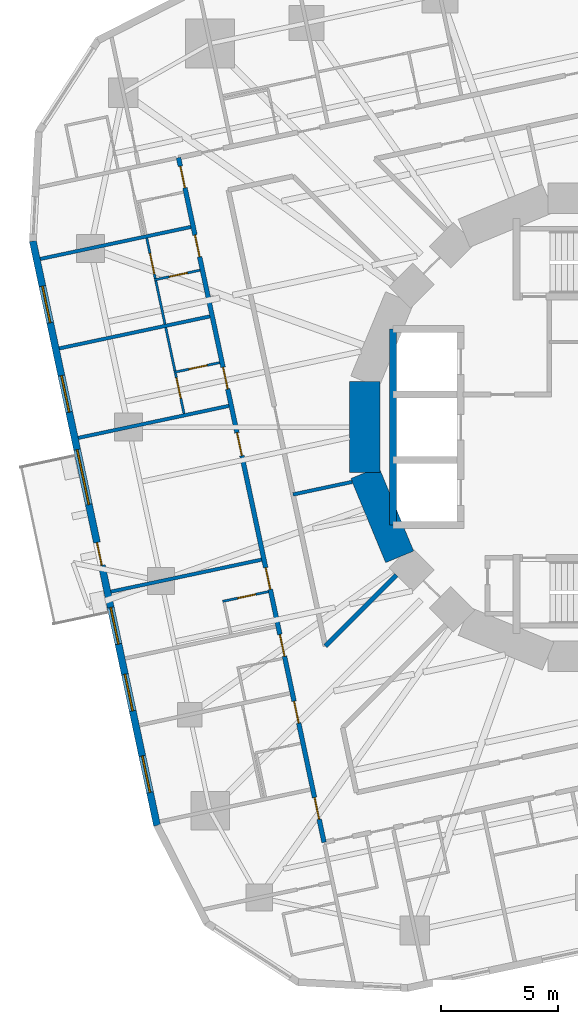
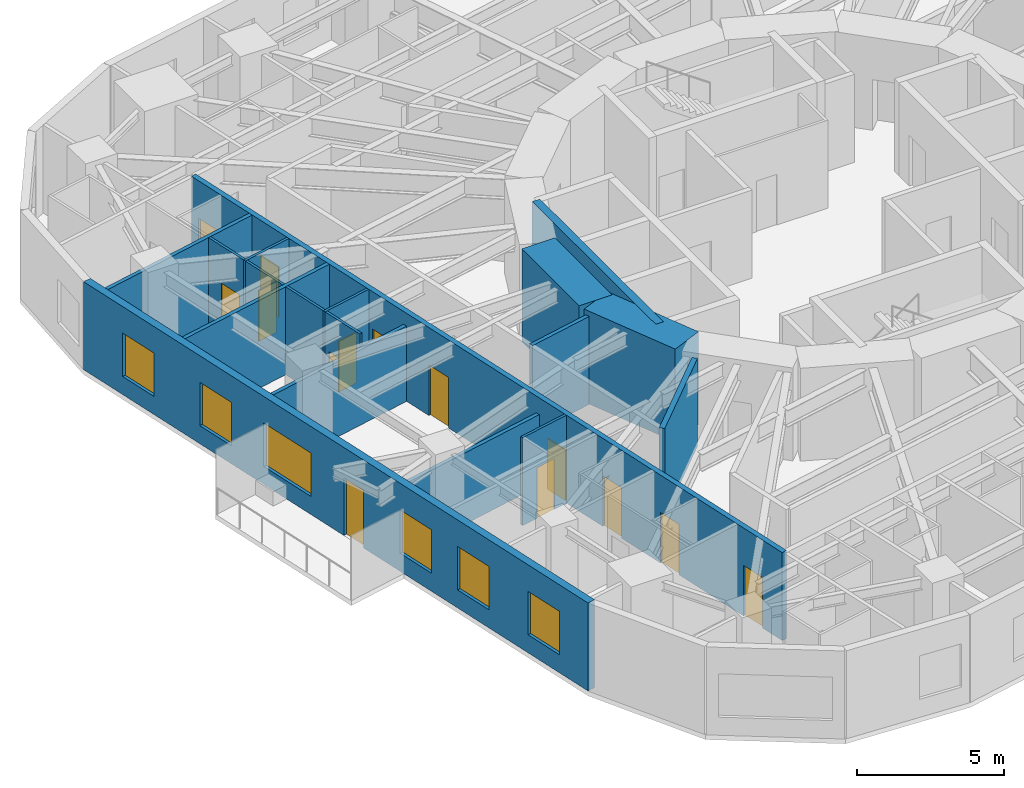
# One storey, part 6 of 14: 18 walls, 14 doors, 6 windows, 20 openings.
"""IFC4 building model written with IfcOpenShell, lengths in metres."""

import ifcopenshell
import ifcopenshell.guid

model = None  # the IFC model being written
_history = None  # IfcOwnerHistory: only IFC2X3 demands one
_inside = {}  # id of a spatial element -> (the spatial element, [elements in it])
_under = {}  # id of a project, library or spatial element -> (it, [spatial elements below it])
_declared = {}  # id of a project -> (the project, [libraries it declares])
_typed = {}  # id of a type object -> (the type object, [elements of that type])
_made_of = {}  # id of a material, layer set ... -> (it, [elements and type objects made of it])


def new_model(schema):
    """Start an empty IFC model of exactly this schema.

    Asked for "IFC4X3", IfcOpenShell would pick the latest addendum, in which some entities
    have other attributes; the version numbers below select the first issue.
    IFC2X3 requires an IfcOwnerHistory on every rooted entity: one is made here for all.
    """
    global model, _history
    if schema == "IFC4X3":
        model = ifcopenshell.file(schema_version=(4, 3, 0, 0))
    else:
        model = ifcopenshell.file(schema=schema)
    _inside.clear()
    _under.clear()
    _declared.clear()
    _typed.clear()
    _made_of.clear()
    _history = None
    if model.schema == "IFC2X3":
        org = make("IfcOrganization", Name="unknown")
        user = make(
            "IfcPersonAndOrganization",
            ThePerson=make("IfcPerson", FamilyName="unknown"),
            TheOrganization=org,
        )
        app = make(
            "IfcApplication",
            ApplicationDeveloper=org,
            Version="unknown",
            ApplicationFullName="unknown",
            ApplicationIdentifier="unknown",
        )
        _history = make(
            "IfcOwnerHistory",
            OwningUser=user,
            OwningApplication=app,
            ChangeAction="ADDED",
            CreationDate=0,
        )
    return model


def make(cls, **values):
    """One entity of the class cls with the attributes given. An attribute that is None is left unset."""
    return model.create_entity(
        cls, **{name: value for name, value in values.items() if value is not None}
    )


def rooted(cls, **values):
    """An entity with a GlobalId (a new one), such as an element, a storey or a relation."""
    return make(cls, GlobalId=ifcopenshell.guid.new(), OwnerHistory=_history, **values)


def si_unit(unit_type, name, prefix=None):
    """IfcSIUnit, for example si_unit("LENGTHUNIT", "METRE", prefix="MILLI")."""
    return make("IfcSIUnit", UnitType=unit_type, Prefix=prefix, Name=name)


def assignment(units):
    """IfcUnitAssignment: the units of a project."""
    return None if units is None else make("IfcUnitAssignment", Units=units)


def point(xyz):
    """IfcCartesianPoint."""
    return None if xyz is None else make("IfcCartesianPoint", Coordinates=xyz)


def direction(xyz):
    """IfcDirection."""
    return None if xyz is None else make("IfcDirection", DirectionRatios=xyz)


def frame(location, z_axis=None, x_axis=None):
    """IfcAxis2Placement3D, a coordinate frame: its origin and axes. An axis left out is left unset."""
    return make(
        "IfcAxis2Placement3D",
        Location=point(location),
        Axis=direction(z_axis),
        RefDirection=direction(x_axis),
    )


def frame_2d(location, x_axis=None):
    """IfcAxis2Placement2D, a coordinate frame in the plane: its origin and x axis."""
    return make(
        "IfcAxis2Placement2D", Location=point(location), RefDirection=direction(x_axis)
    )


def origin():
    """The frame at (0, 0, 0) with its axes left unset."""
    return frame((0.0, 0.0, 0.0))


def place(relative_to, where):
    """IfcLocalPlacement: puts the frame where relative to a parent placement (None: the world)."""
    return make(
        "IfcLocalPlacement", PlacementRelTo=relative_to, RelativePlacement=where
    )


def context(
    kind, dimensions, precision=None, world=None, true_north=None, identifier=None
):
    """IfcGeometricRepresentationContext, for example the 3D "Model" context."""
    return make(
        "IfcGeometricRepresentationContext",
        ContextIdentifier=identifier,
        ContextType=kind,
        CoordinateSpaceDimension=dimensions,
        Precision=precision,
        WorldCoordinateSystem=world,
        TrueNorth=true_north,
    )


def subcontext(parent, identifier, kind, view, scale=None):
    """IfcGeometricRepresentationSubContext, for example "Body" below "Model"."""
    return make(
        "IfcGeometricRepresentationSubContext",
        ContextIdentifier=identifier,
        ContextType=kind,
        ParentContext=parent,
        TargetScale=scale,
        TargetView=view,
    )


def project(units=None, contexts=None):
    """IfcProject with its units and contexts."""
    return rooted(
        "IfcProject",
        Name="project",
        RepresentationContexts=contexts,
        UnitsInContext=assignment(units),
    )


def spatial(cls, under=None, at=None, **own):
    """A site, building, storey or space (cls), placed at a placement, below another one or the project."""
    s = rooted(cls, ObjectPlacement=at, **own)
    if under is not None:
        _under.setdefault(under.id(), (under, []))[1].append(s)
    return s


def profile(cls, at=None, kind="AREA", **sizes):
    """A parametric profile (cls). Its sizes go by their IFC names, for example OverallWidth=200.0."""
    return make(cls, ProfileType=kind, Position=at, **sizes)


def rectangle(**sizes):
    """IfcRectangleProfileDef."""
    return profile("IfcRectangleProfileDef", **sizes)


def extrude(swept, where, along, depth):
    """IfcExtrudedAreaSolid: the profile swept, set in the frame where, extruded along a direction by depth."""
    return make(
        "IfcExtrudedAreaSolid",
        SweptArea=swept,
        Position=where,
        ExtrudedDirection=direction(along),
        Depth=depth,
    )


def shape(context_of_items, identifier, shape_type, items):
    """IfcShapeRepresentation: the items that make up one representation, for example the "Body"."""
    return make(
        "IfcShapeRepresentation",
        ContextOfItems=context_of_items,
        RepresentationIdentifier=identifier,
        RepresentationType=shape_type,
        Items=items,
    )


def material(Name=None, Category=None):
    """IfcMaterial."""
    return make("IfcMaterial", Name=Name, Category=Category)


def layer(
    of_material, thickness, ventilated=None, Name=None, Category=None, Priority=None
):
    """IfcMaterialLayer: one layer of a wall or slab, of a material (None: an air gap)."""
    return make(
        "IfcMaterialLayer",
        Material=of_material,
        LayerThickness=thickness,
        IsVentilated=ventilated,
        Name=Name,
        Category=Category,
        Priority=Priority,
    )


def layer_set(layers, Name=None):
    """IfcMaterialLayerSet."""
    return make("IfcMaterialLayerSet", MaterialLayers=layers, LayerSetName=Name)


def made_of(thing, what):
    """Note that an element or type object is made of a material, layer set ...; save() writes the relation."""
    if what is not None:
        _made_of.setdefault(what.id(), (what, []))[1].append(thing)
    return thing


def type_object(cls, material=None, **own):
    """A type object (cls), such as IfcWallType, which elements share."""
    return made_of(rooted(cls, **own), material)


def element(
    cls,
    number,
    at=None,
    inside=None,
    cuts=None,
    type_object=None,
    material=None,
    context=None,
    identifier="Body",
    shape_type=None,
    held_by="IfcProductDefinitionShape",
    body=None,
    shapes=None,
    **own,
):
    """One element of the class cls, such as IfcWall. Its Tag is "e" and its number.

    at: its placement. inside: the storey or other place that contains it. cuts: it is an
    opening in that element (IfcRelVoidsElement). A single representation is given by context,
    identifier, shape_type and body (its items); several are given by shapes. held_by: the class
    of the entity that holds the representations. save() writes the other relations.
    """
    e = rooted(cls, Tag="e%d" % number, ObjectPlacement=at, **own)
    if body is not None:
        shapes = [shape(context, identifier, shape_type, body)]
    if shapes is not None:
        e.Representation = make(held_by, Representations=shapes)
    if inside is not None:
        _inside.setdefault(inside.id(), (inside, []))[1].append(e)
    if cuts is not None:
        rooted(
            "IfcRelVoidsElement", RelatingBuildingElement=cuts, RelatedOpeningElement=e
        )
    if type_object is not None:
        _typed.setdefault(type_object.id(), (type_object, []))[1].append(e)
    return made_of(e, material)


def fill(opening, filler):
    """IfcRelFillsElement: the door or window that sits in an opening."""
    return rooted(
        "IfcRelFillsElement",
        RelatingOpeningElement=opening,
        RelatedBuildingElement=filler,
    )


def aggregate(whole, parts):
    """IfcRelAggregates: a whole, such as a stair, and the parts it consists of."""
    return rooted("IfcRelAggregates", RelatingObject=whole, RelatedObjects=parts)


def save(model, path):
    """Write the relations noted so far, then the file.

    IfcRelAggregates (storeys below a building ...), IfcRelContainedInSpatialStructure (elements
    in a storey), IfcRelDefinesByType, IfcRelAssociatesMaterial and IfcRelDeclares: one each for
    every whole, place, type object, material and project.
    """
    for whole, parts in _under.values():
        aggregate(whole, parts)
    for where, things in _inside.values():
        rooted(
            "IfcRelContainedInSpatialStructure",
            RelatedElements=things,
            RelatingStructure=where,
        )
    for kind, things in _typed.values():
        rooted("IfcRelDefinesByType", RelatedObjects=things, RelatingType=kind)
    for what, things in _made_of.values():
        rooted("IfcRelAssociatesMaterial", RelatedObjects=things, RelatingMaterial=what)
    for by, libraries in _declared.values():
        rooted("IfcRelDeclares", RelatingContext=by, RelatedDefinitions=libraries)
    model.write(path)


model = new_model("IFC4")

# Units and contexts
model_context = context("Model", 3, precision=1e-05, world=origin(), true_north=direction((0.0, 1.0)))
body_context = subcontext(model_context, "Body", "Model", "MODEL_VIEW")
ifc_project = project(units=[si_unit("LENGTHUNIT", "METRE"), si_unit("AREAUNIT", "SQUARE_METRE"), si_unit("VOLUMEUNIT", "CUBIC_METRE"), si_unit("PLANEANGLEUNIT", "RADIAN"), si_unit("MASSUNIT", "GRAM", prefix="KILO")], contexts=[model_context])

# Site, building, storey
site_placement = place(None, origin())
site = spatial("IfcSite", under=ifc_project, at=site_placement, CompositionType="ELEMENT")
building_placement = place(site_placement, origin())
building = spatial("IfcBuilding", under=site, at=building_placement, Name="Nakasero Lantern House", CompositionType="ELEMENT")
storey_placement = place(building_placement, frame((0.0, 0.0, 116.550048828125)))
storey = spatial("IfcBuildingStorey", under=building, at=storey_placement, Name="L28", CompositionType="ELEMENT", Elevation=116.550048828125)

# Walls
ifc_material_1 = material(Name="Concrete C50/60", Category="concrete")
ifc_layer_1 = layer(ifc_material_1, 0.300048828125)
ifc_layer_set_1 = layer_set([ifc_layer_1], Name="Core inner wall 300")
wall_type_1 = type_object("IfcWallType", Name="Core inner wall 300", PredefinedType="SHEAR", material=ifc_layer_set_1)
wall_1_placement = place(storey_placement, frame((-8.60009765625, -4.199951171875, 0.0), z_axis=(0.0, 0.0, 1.0), x_axis=(0.0, 1.0, 0.0)))
element("IfcWall", 1, at=wall_1_placement, inside=storey, type_object=wall_type_1, Name="Core inner wall L28 LWB", PredefinedType="SHEAR", context=body_context, shape_type="SweptSolid", body=[
    extrude(rectangle(XDim=8.39990234375, YDim=0.300048828125, at=frame_2d((4.199951171875, 0.0))), origin(), (0.0, 0.0, 1.0), 3.849853515625),
])
ifc_material_2 = material(Name="Concrete C50/60", Category="concrete")
ifc_layer_2 = layer(ifc_material_2, 1.300048828125)
ifc_layer_set_2 = layer_set([ifc_layer_2], Name="Core wall 1300")
wall_type_2 = type_object("IfcWallType", Name="Core wall 1300", PredefinedType="SHEAR", material=ifc_layer_set_2)
for number, where, z_axis, x_axis, name in (
    (2, (-9.807861328125, 1.950927734375, 0.0), (0.0, 0.0, 1.0), (0.0, -1.0, 0.0), "Core wall L28 facet 8"),
    (3, (-9.807861328125, -1.950927734375, 0.0), (0.0, 0.0, 1.0), (0.382690736062, -0.923876507187, 0.0), "Core wall L28 facet 9"),
):
    element("IfcWall", number, at=place(storey_placement, frame(where, z_axis=z_axis, x_axis=x_axis)), inside=storey, type_object=wall_type_2, Name=name, PredefinedType="SHEAR", context=body_context, shape_type="SweptSolid", body=[
        extrude(rectangle(XDim=3.90185546875, YDim=1.300048828125, at=frame_2d((1.950927734375, 0.0))), origin(), (0.0, 0.0, 1.0), 3.849853515625),
    ])

# Wall, openings, doors
ifc_material_3 = material(Name="Blockwork", Category="masonry")
ifc_layer_3 = layer(ifc_material_3, 0.199951171875)
ifc_layer_set_3 = layer_set([ifc_layer_3], Name="Corridor wall 200")
wall_type_3 = type_object("IfcWallType", Name="Corridor wall 200", PredefinedType="PARTITIONING", material=ifc_layer_set_3)
wall_2_placement = place(storey_placement, frame((-17.790771484375, 11.553466796875, 0.0), z_axis=(0.0, 0.0, 1.0), x_axis=(0.207911508826, -0.978147639417, 0.0)))
wall_2 = element("IfcWall", 4, at=wall_2_placement, inside=storey, type_object=wall_type_3, Name="Corridor wall L28 CW2", PredefinedType="PARTITIONING", context=body_context, shape_type="SweptSolid", body=[
    extrude(rectangle(XDim=29.999755859375, YDim=0.199951171875, at=frame_2d((15.0, 0.0))), origin(), (0.0, 0.0, 1.0), 3.64990234375),
])
opening_1_placement = place(wall_2_placement, frame((0.375, 0.0, 0.0)))
opening_1 = element("IfcOpeningElement", 5, at=opening_1_placement, cuts=wall_2, Name="Opening D01", PredefinedType="OPENING", context=body_context, shape_type="SweptSolid", body=[
    extrude(rectangle(XDim=0.949951171875, YDim=2.10009765625, at=frame_2d((0.47509765625, 1.050048828125))), frame((0.0, 0.119873046875, 0.0), z_axis=(0.0, -1.0, 0.0), x_axis=(1.0, 0.0, 0.0)), (0.0, 0.0, 1.0), 0.239990234375),
])
opening_2_placement = place(wall_2_placement, frame((3.39111328125, 0.0, 0.0)))
opening_2 = element("IfcOpeningElement", 6, at=opening_2_placement, cuts=wall_2, Name="Opening D01", PredefinedType="OPENING", context=body_context, shape_type="SweptSolid", body=[
    extrude(rectangle(XDim=0.949951171875, YDim=2.10009765625, at=frame_2d((0.47509765625, 1.050048828125))), frame((0.0, 0.119873046875, 0.0), z_axis=(0.0, -1.0, 0.0), x_axis=(1.0, 0.0, 0.0)), (0.0, 0.0, 1.0), 0.239990234375),
])
opening_3_placement = place(wall_2_placement, frame((9.185546875, 0.0, 0.0)))
opening_3 = element("IfcOpeningElement", 7, at=opening_3_placement, cuts=wall_2, Name="Opening D01", PredefinedType="OPENING", context=body_context, shape_type="SweptSolid", body=[
    extrude(rectangle(XDim=0.949951171875, YDim=2.10009765625, at=frame_2d((0.47509765625, 1.050048828125))), frame((0.0, 0.119873046875, 0.0), z_axis=(0.0, -1.0, 0.0), x_axis=(1.0, 0.0, 0.0)), (0.0, 0.0, 1.0), 0.239990234375),
])
opening_4_placement = place(wall_2_placement, frame((17.967529296875, 0.0, 0.0)))
opening_4 = element("IfcOpeningElement", 8, at=opening_4_placement, cuts=wall_2, Name="Opening D01", PredefinedType="OPENING", context=body_context, shape_type="SweptSolid", body=[
    extrude(rectangle(XDim=0.949951171875, YDim=2.10009765625, at=frame_2d((0.47509765625, 1.050048828125))), frame((0.0, 0.119873046875, 0.0), z_axis=(0.0, -1.0, 0.0), x_axis=(1.0, 0.0, 0.0)), (0.0, 0.0, 1.0), 0.239990234375),
])
opening_5_placement = place(wall_2_placement, frame((20.89404296875, 0.0, 0.0)))
opening_5 = element("IfcOpeningElement", 9, at=opening_5_placement, cuts=wall_2, Name="Opening D01", PredefinedType="OPENING", context=body_context, shape_type="SweptSolid", body=[
    extrude(rectangle(XDim=0.949951171875, YDim=2.10009765625, at=frame_2d((0.47509765625, 1.050048828125))), frame((0.0, 0.119873046875, 0.0), z_axis=(0.0, -1.0, 0.0), x_axis=(1.0, 0.0, 0.0)), (0.0, 0.0, 1.0), 0.239990234375),
])
opening_6_placement = place(wall_2_placement, frame((23.8203125, 0.0, 0.0)))
opening_6 = element("IfcOpeningElement", 10, at=opening_6_placement, cuts=wall_2, Name="Opening D01", PredefinedType="OPENING", context=body_context, shape_type="SweptSolid", body=[
    extrude(rectangle(XDim=0.949951171875, YDim=2.10009765625, at=frame_2d((0.47509765625, 1.050048828125))), frame((0.0, 0.119873046875, 0.0), z_axis=(0.0, -1.0, 0.0), x_axis=(1.0, 0.0, 0.0)), (0.0, 0.0, 1.0), 0.239990234375),
])
opening_7_placement = place(wall_2_placement, frame((28.038330078125, 0.0, 0.0)))
opening_7 = element("IfcOpeningElement", 11, at=opening_7_placement, cuts=wall_2, Name="Opening D01", PredefinedType="OPENING", context=body_context, shape_type="SweptSolid", body=[
    extrude(rectangle(XDim=0.949951171875, YDim=2.10009765625, at=frame_2d((0.47509765625, 1.050048828125))), frame((0.0, 0.119873046875, 0.0), z_axis=(0.0, -1.0, 0.0), x_axis=(1.0, 0.0, 0.0)), (0.0, 0.0, 1.0), 0.239990234375),
])
opening_8_placement = place(wall_2_placement, frame((12.05517578125, 0.0, 0.0)))
opening_8 = element("IfcOpeningElement", 12, at=opening_8_placement, cuts=wall_2, Name="Opening D03", PredefinedType="OPENING", context=body_context, shape_type="SweptSolid", body=[
    extrude(rectangle(XDim=1.0, YDim=2.10009765625, at=frame_2d((0.5, 1.050048828125))), frame((0.0, 0.119873046875, 0.0), z_axis=(0.0, -1.0, 0.0), x_axis=(1.0, 0.0, 0.0)), (0.0, 0.0, 1.0), 0.239990234375),
])
ifc_material_4 = material(Name="Timber C24", Category="wood")
door_type_1 = type_object("IfcDoorType", Name="Bedroom door FD30S 950", OperationType="SINGLE_SWING_LEFT", PredefinedType="DOOR", material=ifc_material_4)
door_1_placement = place(opening_1_placement, origin())
door_1 = element("IfcDoor", 13, at=door_1_placement, inside=storey, type_object=door_type_1, Name="Door L28 D2-00", OperationType="SINGLE_SWING_LEFT", OverallHeight=2.10009765625, OverallWidth=0.949951171875, PredefinedType="DOOR", context=body_context, shape_type="SweptSolid", body=[
    extrude(rectangle(XDim=0.949951171875, YDim=2.10009765625, at=frame_2d((0.47509765625, 1.050048828125))), frame((0.0, 0.02490234375, 0.0), z_axis=(0.0, -1.0, 0.0), x_axis=(1.0, 0.0, 0.0)), (0.0, 0.0, 1.0), 0.050048828125),
])
fill(opening_1, door_1)
door_2_placement = place(opening_2_placement, origin())
door_2 = element("IfcDoor", 14, at=door_2_placement, inside=storey, type_object=door_type_1, Name="Door L28 D2-01", OperationType="SINGLE_SWING_LEFT", OverallHeight=2.10009765625, OverallWidth=0.949951171875, PredefinedType="DOOR", context=body_context, shape_type="SweptSolid", body=[
    extrude(rectangle(XDim=0.949951171875, YDim=2.10009765625, at=frame_2d((0.47509765625, 1.050048828125))), frame((0.0, 0.02490234375, 0.0), z_axis=(0.0, -1.0, 0.0), x_axis=(1.0, 0.0, 0.0)), (0.0, 0.0, 1.0), 0.050048828125),
])
fill(opening_2, door_2)
door_3_placement = place(opening_3_placement, origin())
door_3 = element("IfcDoor", 15, at=door_3_placement, inside=storey, type_object=door_type_1, Name="Door L28 D2-02", OperationType="SINGLE_SWING_LEFT", OverallHeight=2.10009765625, OverallWidth=0.949951171875, PredefinedType="DOOR", context=body_context, shape_type="SweptSolid", body=[
    extrude(rectangle(XDim=0.949951171875, YDim=2.10009765625, at=frame_2d((0.47509765625, 1.050048828125))), frame((0.0, 0.02490234375, 0.0), z_axis=(0.0, -1.0, 0.0), x_axis=(1.0, 0.0, 0.0)), (0.0, 0.0, 1.0), 0.050048828125),
])
fill(opening_3, door_3)
door_4_placement = place(opening_4_placement, origin())
door_4 = element("IfcDoor", 16, at=door_4_placement, inside=storey, type_object=door_type_1, Name="Door L28 D2-05", OperationType="SINGLE_SWING_RIGHT", OverallHeight=2.10009765625, OverallWidth=0.949951171875, PredefinedType="DOOR", context=body_context, shape_type="SweptSolid", body=[
    extrude(rectangle(XDim=0.949951171875, YDim=2.10009765625, at=frame_2d((0.47509765625, 1.050048828125))), frame((0.0, 0.02490234375, 0.0), z_axis=(0.0, -1.0, 0.0), x_axis=(1.0, 0.0, 0.0)), (0.0, 0.0, 1.0), 0.050048828125),
])
fill(opening_4, door_4)
door_5_placement = place(opening_5_placement, origin())
door_5 = element("IfcDoor", 17, at=door_5_placement, inside=storey, type_object=door_type_1, Name="Door L28 D2-06", OperationType="SINGLE_SWING_RIGHT", OverallHeight=2.10009765625, OverallWidth=0.949951171875, PredefinedType="DOOR", context=body_context, shape_type="SweptSolid", body=[
    extrude(rectangle(XDim=0.949951171875, YDim=2.10009765625, at=frame_2d((0.47509765625, 1.050048828125))), frame((0.0, 0.02490234375, 0.0), z_axis=(0.0, -1.0, 0.0), x_axis=(1.0, 0.0, 0.0)), (0.0, 0.0, 1.0), 0.050048828125),
])
fill(opening_5, door_5)
door_6_placement = place(opening_6_placement, origin())
door_6 = element("IfcDoor", 18, at=door_6_placement, inside=storey, type_object=door_type_1, Name="Door L28 D2-07", OperationType="SINGLE_SWING_RIGHT", OverallHeight=2.10009765625, OverallWidth=0.949951171875, PredefinedType="DOOR", context=body_context, shape_type="SweptSolid", body=[
    extrude(rectangle(XDim=0.949951171875, YDim=2.10009765625, at=frame_2d((0.47509765625, 1.050048828125))), frame((0.0, 0.02490234375, 0.0), z_axis=(0.0, -1.0, 0.0), x_axis=(1.0, 0.0, 0.0)), (0.0, 0.0, 1.0), 0.050048828125),
])
fill(opening_6, door_6)
door_7_placement = place(opening_7_placement, origin())
door_7 = element("IfcDoor", 19, at=door_7_placement, inside=storey, type_object=door_type_1, Name="Door L28 D2-08", OperationType="SINGLE_SWING_RIGHT", OverallHeight=2.10009765625, OverallWidth=0.949951171875, PredefinedType="DOOR", context=body_context, shape_type="SweptSolid", body=[
    extrude(rectangle(XDim=0.949951171875, YDim=2.10009765625, at=frame_2d((0.47509765625, 1.050048828125))), frame((0.0, 0.02490234375, 0.0), z_axis=(0.0, -1.0, 0.0), x_axis=(1.0, 0.0, 0.0)), (0.0, 0.0, 1.0), 0.050048828125),
])
fill(opening_7, door_7)
ifc_material_5 = material(Name="Timber C24", Category="wood")
door_type_2 = type_object("IfcDoorType", Name="Lounge door FD30S 1000", OperationType="SINGLE_SWING_LEFT", PredefinedType="DOOR", material=ifc_material_5)
door_8_placement = place(opening_8_placement, origin())
door_8 = element("IfcDoor", 20, at=door_8_placement, inside=storey, type_object=door_type_2, Name="Door L28 DK2", OperationType="SINGLE_SWING_LEFT", OverallHeight=2.10009765625, OverallWidth=1.0, PredefinedType="DOOR", context=body_context, shape_type="SweptSolid", body=[
    extrude(rectangle(XDim=1.0, YDim=2.10009765625, at=frame_2d((0.5, 1.050048828125))), frame((0.0, 0.02490234375, 0.0), z_axis=(0.0, -1.0, 0.0), x_axis=(1.0, 0.0, 0.0)), (0.0, 0.0, 1.0), 0.050048828125),
])
fill(opening_8, door_8)

# Wall
wall_3_placement = place(storey_placement, frame((-8.45556640625, -6.334228515625, 0.0), z_axis=(0.0, 0.0, 1.0), x_axis=(-0.707106781187, -0.707106781187, 0.0)))
element("IfcWall", 21, at=wall_3_placement, inside=storey, type_object=wall_type_3, Name="Corridor wall L28 PS10b", PredefinedType="PARTITIONING", context=body_context, shape_type="SweptSolid", body=[
    extrude(rectangle(XDim=4.30712890625, YDim=0.199951171875, at=frame_2d((2.153564453125, 0.0))), origin(), (0.0, 0.0, 1.0), 3.64990234375),
])

# Wall, opening, door
ifc_material_6 = material(Name="Blockwork", Category="masonry")
ifc_layer_4 = layer(ifc_material_6, 0.10009765625)
ifc_layer_set_4 = layer_set([ifc_layer_4], Name="En-suite wall 100")
wall_type_4 = type_object("IfcWallType", Name="En-suite wall 100", PredefinedType="PARTITIONING", material=ifc_layer_set_4)
wall_4_placement = place(storey_placement, frame((-16.86767578125, 6.7294921875, 0.0), z_axis=(0.0, 0.0, 1.0), x_axis=(-0.978128127149, -0.208003285743, 0.0)))
wall_4 = element("IfcWall", 22, at=wall_4_placement, inside=storey, type_object=wall_type_4, Name="En-suite wall L28 ES2-01", PredefinedType="PARTITIONING", context=body_context, shape_type="SweptSolid", body=[
    extrude(rectangle(XDim=2.0, YDim=0.10009765625, at=frame_2d((1.0, 0.0))), origin(), (0.0, 0.0, 1.0), 3.64990234375),
])
opening_9_placement = place(wall_4_placement, frame((0.550048828125, 0.0, 0.0)))
opening_9 = element("IfcOpeningElement", 23, at=opening_9_placement, cuts=wall_4, Name="Opening D02", PredefinedType="OPENING", context=body_context, shape_type="SweptSolid", body=[
    extrude(rectangle(XDim=0.800048828125, YDim=2.10009765625, at=frame_2d((0.39990234375, 1.050048828125))), frame((0.0, 0.070068359375, 0.0), z_axis=(0.0, -1.0, 0.0), x_axis=(1.0, 0.0, 0.0)), (0.0, 0.0, 1.0), 0.14013671875),
])
ifc_material_7 = material(Name="Timber C24", Category="wood")
door_type_3 = type_object("IfcDoorType", Name="En-suite door 800", OperationType="SINGLE_SWING_RIGHT", PredefinedType="DOOR", material=ifc_material_7)
door_9_placement = place(opening_9_placement, origin())
door_9 = element("IfcDoor", 24, at=door_9_placement, inside=storey, type_object=door_type_3, Name="Door L28 DE2-01", OperationType="SINGLE_SWING_LEFT", OverallHeight=2.10009765625, OverallWidth=0.800048828125, PredefinedType="DOOR", context=body_context, shape_type="SweptSolid", body=[
    extrude(rectangle(XDim=0.800048828125, YDim=2.10009765625, at=frame_2d((0.39990234375, 1.050048828125))), frame((0.0, 0.02490234375, 0.0), z_axis=(0.0, -1.0, 0.0), x_axis=(1.0, 0.0, 0.0)), (0.0, 0.0, 1.0), 0.050048828125),
])
fill(opening_9, door_9)

# Wall
wall_5_placement = place(storey_placement, frame((-18.7646484375, 6.275146484375, 0.0), z_axis=(0.0, 0.0, 1.0), x_axis=(0.207887952389, -0.978152646192, 0.0)))
element("IfcWall", 25, at=wall_5_placement, inside=storey, type_object=wall_type_4, Name="En-suite wall L28 EE2-01", PredefinedType="PARTITIONING", context=body_context, shape_type="SweptSolid", body=[
    extrude(rectangle(XDim=1.900146484375, YDim=0.10009765625, at=frame_2d((0.9501953125, 0.0))), origin(), (0.0, 0.0, 1.0), 3.64990234375),
])

# Wall, opening, door
wall_6_placement = place(storey_placement, frame((-16.025634765625, 2.767822265625, 0.0), z_axis=(0.0, 0.0, 1.0), x_axis=(-0.978152955943, -0.207886494942, 0.0)))
wall_6 = element("IfcWall", 26, at=wall_6_placement, inside=storey, type_object=wall_type_4, Name="En-suite wall L28 ES2-02", PredefinedType="PARTITIONING", context=body_context, shape_type="SweptSolid", body=[
    extrude(rectangle(XDim=2.0, YDim=0.10009765625, at=frame_2d((1.0, 0.0))), origin(), (0.0, 0.0, 1.0), 3.64990234375),
])
opening_10_placement = place(wall_6_placement, frame((0.550048828125, 0.0, 0.0)))
opening_10 = element("IfcOpeningElement", 27, at=opening_10_placement, cuts=wall_6, Name="Opening D02", PredefinedType="OPENING", context=body_context, shape_type="SweptSolid", body=[
    extrude(rectangle(XDim=0.800048828125, YDim=2.10009765625, at=frame_2d((0.39990234375, 1.050048828125))), frame((0.0, 0.070068359375, 0.0), z_axis=(0.0, -1.0, 0.0), x_axis=(1.0, 0.0, 0.0)), (0.0, 0.0, 1.0), 0.14013671875),
])
door_10_placement = place(opening_10_placement, origin())
door_10 = element("IfcDoor", 28, at=door_10_placement, inside=storey, type_object=door_type_3, Name="Door L28 DE2-02", OperationType="SINGLE_SWING_LEFT", OverallHeight=2.10009765625, OverallWidth=0.800048828125, PredefinedType="DOOR", context=body_context, shape_type="SweptSolid", body=[
    extrude(rectangle(XDim=0.800048828125, YDim=2.10009765625, at=frame_2d((0.39990234375, 1.050048828125))), frame((0.0, 0.02490234375, 0.0), z_axis=(0.0, -1.0, 0.0), x_axis=(1.0, 0.0, 0.0)), (0.0, 0.0, 1.0), 0.050048828125),
])
fill(opening_10, door_10)

# Wall
wall_7_placement = place(storey_placement, frame((-18.33837890625, 4.269775390625, 0.0), z_axis=(0.0, 0.0, 1.0), x_axis=(0.207914082431, -0.978147092378, 0.0)))
element("IfcWall", 29, at=wall_7_placement, inside=storey, type_object=wall_type_4, Name="En-suite wall L28 EE2-02", PredefinedType="PARTITIONING", context=body_context, shape_type="SweptSolid", body=[
    extrude(rectangle(XDim=1.89990234375, YDim=0.10009765625, at=frame_2d((0.949951171875, 0.0))), origin(), (0.0, 0.0, 1.0), 3.64990234375),
])

# Wall, opening, door
wall_8_placement = place(storey_placement, frame((-13.939697265625, -7.046142578125, 0.0), z_axis=(0.0, 0.0, 1.0), x_axis=(-0.978152955943, -0.207886494942, 0.0)))
wall_8 = element("IfcWall", 30, at=wall_8_placement, inside=storey, type_object=wall_type_4, Name="En-suite wall L28 ES2-05", PredefinedType="PARTITIONING", context=body_context, shape_type="SweptSolid", body=[
    extrude(rectangle(XDim=2.0, YDim=0.10009765625, at=frame_2d((1.0, 0.0))), origin(), (0.0, 0.0, 1.0), 3.64990234375),
])
opening_11_placement = place(wall_8_placement, frame((0.550048828125, 0.0, 0.0)))
opening_11 = element("IfcOpeningElement", 31, at=opening_11_placement, cuts=wall_8, Name="Opening D02", PredefinedType="OPENING", context=body_context, shape_type="SweptSolid", body=[
    extrude(rectangle(XDim=0.800048828125, YDim=2.10009765625, at=frame_2d((0.39990234375, 1.050048828125))), frame((0.0, 0.070068359375, 0.0), z_axis=(0.0, -1.0, 0.0), x_axis=(1.0, 0.0, 0.0)), (0.0, 0.0, 1.0), 0.14013671875),
])
door_11_placement = place(opening_11_placement, origin())
door_11 = element("IfcDoor", 32, at=door_11_placement, inside=storey, type_object=door_type_3, Name="Door L28 DE2-05", OperationType="SINGLE_SWING_LEFT", OverallHeight=2.10009765625, OverallWidth=0.800048828125, PredefinedType="DOOR", context=body_context, shape_type="SweptSolid", body=[
    extrude(rectangle(XDim=0.800048828125, YDim=2.10009765625, at=frame_2d((0.39990234375, 1.050048828125))), frame((0.0, 0.02490234375, 0.0), z_axis=(0.0, -1.0, 0.0), x_axis=(1.0, 0.0, 0.0)), (0.0, 0.0, 1.0), 0.050048828125),
])
fill(opening_11, door_11)

wall_9_placement = place(storey_placement, frame((-19.1533203125, 8.103759765625, 0.0), z_axis=(0.0, 0.0, 1.0), x_axis=(0.207908255933, -0.978148330835, 0.0)))
wall_9 = element("IfcWall", 33, at=wall_9_placement, inside=storey, type_object=wall_type_4, Name="En-suite wall L28 EL2-01", PredefinedType="PARTITIONING", context=body_context, shape_type="SweptSolid", body=[
    extrude(rectangle(XDim=1.76953125, YDim=0.10009765625, at=frame_2d((0.884765625, 0.0))), origin(), (0.0, 0.0, 1.0), 3.64990234375),
])
opening_12_placement = place(wall_9_placement, frame((0.66943359375, 0.0, 0.0)))
opening_12 = element("IfcOpeningElement", 34, at=opening_12_placement, cuts=wall_9, Name="Opening D17", PredefinedType="OPENING", context=body_context, shape_type="SweptSolid", body=[
    extrude(rectangle(XDim=0.89990234375, YDim=2.10009765625, at=frame_2d((0.449951171875, 1.050048828125))), frame((0.0, 0.070068359375, 0.0), z_axis=(0.0, -1.0, 0.0), x_axis=(1.0, 0.0, 0.0)), (0.0, 0.0, 1.0), 0.14013671875),
])
ifc_material_8 = material(Name="Timber C24", Category="wood")
door_type_4 = type_object("IfcDoorType", Name="Bedroom door FD30S 900", OperationType="SINGLE_SWING_LEFT", PredefinedType="DOOR", material=ifc_material_8)
door_12_placement = place(opening_12_placement, origin())
door_12 = element("IfcDoor", 35, at=door_12_placement, inside=storey, type_object=door_type_4, Name="Door L28 DL2-01", OperationType="SINGLE_SWING_RIGHT", OverallHeight=2.10009765625, OverallWidth=0.89990234375, PredefinedType="DOOR", context=body_context, shape_type="SweptSolid", body=[
    extrude(rectangle(XDim=0.89990234375, YDim=2.10009765625, at=frame_2d((0.449951171875, 1.050048828125))), frame((0.0, 0.02490234375, 0.0), z_axis=(0.0, -1.0, 0.0), x_axis=(1.0, 0.0, 0.0)), (0.0, 0.0, 1.0), 0.050048828125),
])
fill(opening_12, door_12)

wall_10_placement = place(storey_placement, frame((-17.922607421875, 2.3134765625, 0.0), z_axis=(0.0, 0.0, 1.0), x_axis=(0.207936316228, -0.978142366117, 0.0)))
wall_10 = element("IfcWall", 36, at=wall_10_placement, inside=storey, type_object=wall_type_4, Name="En-suite wall L28 EL2-02", PredefinedType="PARTITIONING", context=body_context, shape_type="SweptSolid", body=[
    extrude(rectangle(XDim=1.769287109375, YDim=0.10009765625, at=frame_2d((0.884765625, 0.0))), origin(), (0.0, 0.0, 1.0), 3.64990234375),
])
opening_13_placement = place(wall_10_placement, frame((0.199951171875, 0.0, 0.0)))
opening_13 = element("IfcOpeningElement", 37, at=opening_13_placement, cuts=wall_10, Name="Opening D17", PredefinedType="OPENING", context=body_context, shape_type="SweptSolid", body=[
    extrude(rectangle(XDim=0.89990234375, YDim=2.10009765625, at=frame_2d((0.449951171875, 1.050048828125))), frame((0.0, 0.070068359375, 0.0), z_axis=(0.0, -1.0, 0.0), x_axis=(1.0, 0.0, 0.0)), (0.0, 0.0, 1.0), 0.14013671875),
])
door_13_placement = place(opening_13_placement, origin())
door_13 = element("IfcDoor", 38, at=door_13_placement, inside=storey, type_object=door_type_4, Name="Door L28 DL2-02", OperationType="SINGLE_SWING_LEFT", OverallHeight=2.10009765625, OverallWidth=0.89990234375, PredefinedType="DOOR", context=body_context, shape_type="SweptSolid", body=[
    extrude(rectangle(XDim=0.89990234375, YDim=2.10009765625, at=frame_2d((0.449951171875, 1.050048828125))), frame((0.0, 0.02490234375, 0.0), z_axis=(0.0, -1.0, 0.0), x_axis=(1.0, 0.0, 0.0)), (0.0, 0.0, 1.0), 0.050048828125),
])
fill(opening_13, door_13)

# Wall, openings, door, windows
ifc_material_9 = material(Name="Aluminium rainscreen on blockwork", Category="masonry")
ifc_layer_5 = layer(ifc_material_9, 0.300048828125)
ifc_layer_set_5 = layer_set([ifc_layer_5], Name="Facade wall 300")
wall_type_5 = type_object("IfcWallType", Name="Facade wall 300", PredefinedType="SOLIDWALL", material=ifc_layer_set_5)
wall_11_placement = place(storey_placement, frame((-24.03369140625, 7.9775390625, 0.0), z_axis=(0.0, 0.0, 1.0), x_axis=(0.207909055127, -0.978148160964, 0.0)))
wall_11 = element("IfcWall", 39, at=wall_11_placement, inside=storey, type_object=wall_type_5, Name="Facade wall L28 FW2S", PredefinedType="SOLIDWALL", context=body_context, shape_type="SweptSolid", body=[
    extrude(rectangle(XDim=25.60009765625, YDim=0.300048828125, at=frame_2d((12.800048828125, 0.0))), origin(), (0.0, 0.0, 1.0), 3.64990234375),
])
opening_14_placement = place(wall_11_placement, frame((1.975830078125, 0.0, 0.75)))
opening_14 = element("IfcOpeningElement", 40, at=opening_14_placement, cuts=wall_11, Name="Opening W01", PredefinedType="OPENING", context=body_context, shape_type="SweptSolid", body=[
    extrude(rectangle(XDim=1.60009765625, YDim=1.800048828125, at=frame_2d((0.800048828125, 0.89990234375))), frame((0.0, 0.169921875, 0.0), z_axis=(0.0, -1.0, 0.0), x_axis=(1.0, 0.0, 0.0)), (0.0, 0.0, 1.0), 0.340087890625),
])
opening_15_placement = place(wall_11_placement, frame((5.8955078125, 0.0, 0.75)))
opening_15 = element("IfcOpeningElement", 41, at=opening_15_placement, cuts=wall_11, Name="Opening W01", PredefinedType="OPENING", context=body_context, shape_type="SweptSolid", body=[
    extrude(rectangle(XDim=1.60009765625, YDim=1.800048828125, at=frame_2d((0.800048828125, 0.89990234375))), frame((0.0, 0.169921875, 0.0), z_axis=(0.0, -1.0, 0.0), x_axis=(1.0, 0.0, 0.0)), (0.0, 0.0, 1.0), 0.340087890625),
])
opening_16_placement = place(wall_11_placement, frame((16.0556640625, 0.0, 0.75)))
opening_16 = element("IfcOpeningElement", 42, at=opening_16_placement, cuts=wall_11, Name="Opening W01", PredefinedType="OPENING", context=body_context, shape_type="SweptSolid", body=[
    extrude(rectangle(XDim=1.60009765625, YDim=1.800048828125, at=frame_2d((0.800048828125, 0.89990234375))), frame((0.0, 0.169921875, 0.0), z_axis=(0.0, -1.0, 0.0), x_axis=(1.0, 0.0, 0.0)), (0.0, 0.0, 1.0), 0.340087890625),
])
opening_17_placement = place(wall_11_placement, frame((18.982177734375, 0.0, 0.75)))
opening_17 = element("IfcOpeningElement", 43, at=opening_17_placement, cuts=wall_11, Name="Opening W01", PredefinedType="OPENING", context=body_context, shape_type="SweptSolid", body=[
    extrude(rectangle(XDim=1.60009765625, YDim=1.800048828125, at=frame_2d((0.800048828125, 0.89990234375))), frame((0.0, 0.169921875, 0.0), z_axis=(0.0, -1.0, 0.0), x_axis=(1.0, 0.0, 0.0)), (0.0, 0.0, 1.0), 0.340087890625),
])
opening_18_placement = place(wall_11_placement, frame((22.554443359375, 0.0, 0.75)))
opening_18 = element("IfcOpeningElement", 44, at=opening_18_placement, cuts=wall_11, Name="Opening W01", PredefinedType="OPENING", context=body_context, shape_type="SweptSolid", body=[
    extrude(rectangle(XDim=1.60009765625, YDim=1.800048828125, at=frame_2d((0.800048828125, 0.89990234375))), frame((0.0, 0.169921875, 0.0), z_axis=(0.0, -1.0, 0.0), x_axis=(1.0, 0.0, 0.0)), (0.0, 0.0, 1.0), 0.340087890625),
])
opening_19_placement = place(wall_11_placement, frame((9.139404296875, 0.0, 0.75)))
opening_19 = element("IfcOpeningElement", 45, at=opening_19_placement, cuts=wall_11, Name="Opening W03", PredefinedType="OPENING", context=body_context, shape_type="SweptSolid", body=[
    extrude(rectangle(XDim=2.39990234375, YDim=1.800048828125, at=frame_2d((1.199951171875, 0.89990234375))), frame((0.0, 0.169921875, 0.0), z_axis=(0.0, -1.0, 0.0), x_axis=(1.0, 0.0, 0.0)), (0.0, 0.0, 1.0), 0.340087890625),
])
opening_20_placement = place(wall_11_placement, frame((13.208251953125, 0.0, 0.0)))
opening_20 = element("IfcOpeningElement", 46, at=opening_20_placement, cuts=wall_11, Name="Opening D04", PredefinedType="OPENING", context=body_context, shape_type="SweptSolid", body=[
    extrude(rectangle(XDim=1.0, YDim=2.39990234375, at=frame_2d((0.5, 1.199951171875))), frame((0.0, 0.169921875, 0.0), z_axis=(0.0, -1.0, 0.0), x_axis=(1.0, 0.0, 0.0)), (0.0, 0.0, 1.0), 0.340087890625),
])
ifc_material_10 = material(Name="Aluminium 6063-T6 and glass", Category="aluminium")
door_type_5 = type_object("IfcDoorType", Name="Balcony door 1000x2400", OperationType="SINGLE_SWING_RIGHT", PredefinedType="DOOR", material=ifc_material_10)
door_14_placement = place(opening_20_placement, origin())
door_14 = element("IfcDoor", 47, at=door_14_placement, inside=storey, type_object=door_type_5, Name="Balcony door L28 DB2", OperationType="SINGLE_SWING_RIGHT", OverallHeight=2.39990234375, OverallWidth=1.0, PredefinedType="DOOR", context=body_context, shape_type="SweptSolid", body=[
    extrude(rectangle(XDim=1.0, YDim=2.39990234375, at=frame_2d((0.5, 1.199951171875))), frame((0.0, 0.02490234375, 0.0), z_axis=(0.0, -1.0, 0.0), x_axis=(1.0, 0.0, 0.0)), (0.0, 0.0, 1.0), 0.050048828125),
])
fill(opening_20, door_14)
ifc_material_11 = material(Name="Aluminium 6063-T6 and glass", Category="aluminium")
window_type_1 = type_object("IfcWindowType", Name="Bedroom window 1600x1800", PartitioningType="SINGLE_PANEL", PredefinedType="WINDOW", material=ifc_material_11)
window_1_placement = place(opening_14_placement, origin())
window_1 = element("IfcWindow", 48, at=window_1_placement, inside=storey, type_object=window_type_1, Name="Window L28 WN2-01", OverallHeight=1.800048828125, OverallWidth=1.60009765625, PartitioningType="SINGLE_PANEL", PredefinedType="WINDOW", context=body_context, shape_type="SweptSolid", body=[
    extrude(rectangle(XDim=1.60009765625, YDim=1.800048828125, at=frame_2d((0.800048828125, 0.89990234375))), frame((0.0, 0.030029296875, 0.0), z_axis=(0.0, -1.0, 0.0), x_axis=(1.0, 0.0, 0.0)), (0.0, 0.0, 1.0), 0.06005859375),
])
fill(opening_14, window_1)
window_2_placement = place(opening_15_placement, origin())
window_2 = element("IfcWindow", 49, at=window_2_placement, inside=storey, type_object=window_type_1, Name="Window L28 WN2-02", OverallHeight=1.800048828125, OverallWidth=1.60009765625, PartitioningType="SINGLE_PANEL", PredefinedType="WINDOW", context=body_context, shape_type="SweptSolid", body=[
    extrude(rectangle(XDim=1.60009765625, YDim=1.800048828125, at=frame_2d((0.800048828125, 0.89990234375))), frame((0.0, 0.030029296875, 0.0), z_axis=(0.0, -1.0, 0.0), x_axis=(1.0, 0.0, 0.0)), (0.0, 0.0, 1.0), 0.06005859375),
])
fill(opening_15, window_2)
window_3_placement = place(opening_16_placement, origin())
window_3 = element("IfcWindow", 50, at=window_3_placement, inside=storey, type_object=window_type_1, Name="Window L28 WN2-05", OverallHeight=1.800048828125, OverallWidth=1.60009765625, PartitioningType="SINGLE_PANEL", PredefinedType="WINDOW", context=body_context, shape_type="SweptSolid", body=[
    extrude(rectangle(XDim=1.60009765625, YDim=1.800048828125, at=frame_2d((0.800048828125, 0.89990234375))), frame((0.0, 0.030029296875, 0.0), z_axis=(0.0, -1.0, 0.0), x_axis=(1.0, 0.0, 0.0)), (0.0, 0.0, 1.0), 0.06005859375),
])
fill(opening_16, window_3)
window_4_placement = place(opening_17_placement, origin())
window_4 = element("IfcWindow", 51, at=window_4_placement, inside=storey, type_object=window_type_1, Name="Window L28 WN2-06", OverallHeight=1.800048828125, OverallWidth=1.60009765625, PartitioningType="SINGLE_PANEL", PredefinedType="WINDOW", context=body_context, shape_type="SweptSolid", body=[
    extrude(rectangle(XDim=1.60009765625, YDim=1.800048828125, at=frame_2d((0.800048828125, 0.89990234375))), frame((0.0, 0.030029296875, 0.0), z_axis=(0.0, -1.0, 0.0), x_axis=(1.0, 0.0, 0.0)), (0.0, 0.0, 1.0), 0.06005859375),
])
fill(opening_17, window_4)
window_5_placement = place(opening_18_placement, origin())
window_5 = element("IfcWindow", 52, at=window_5_placement, inside=storey, type_object=window_type_1, Name="Window L28 WN2-07", OverallHeight=1.800048828125, OverallWidth=1.60009765625, PartitioningType="SINGLE_PANEL", PredefinedType="WINDOW", context=body_context, shape_type="SweptSolid", body=[
    extrude(rectangle(XDim=1.60009765625, YDim=1.800048828125, at=frame_2d((0.800048828125, 0.89990234375))), frame((0.0, 0.030029296875, 0.0), z_axis=(0.0, -1.0, 0.0), x_axis=(1.0, 0.0, 0.0)), (0.0, 0.0, 1.0), 0.06005859375),
])
fill(opening_18, window_5)
ifc_material_12 = material(Name="Aluminium 6063-T6 and glass", Category="aluminium")
window_type_2 = type_object("IfcWindowType", Name="Lounge window 2400x1800", PartitioningType="SINGLE_PANEL", PredefinedType="WINDOW", material=ifc_material_12)
window_6_placement = place(opening_19_placement, origin())
window_6 = element("IfcWindow", 53, at=window_6_placement, inside=storey, type_object=window_type_2, Name="Window L28 WK2", OverallHeight=1.800048828125, OverallWidth=2.39990234375, PartitioningType="SINGLE_PANEL", PredefinedType="WINDOW", context=body_context, shape_type="SweptSolid", body=[
    extrude(rectangle(XDim=2.39990234375, YDim=1.800048828125, at=frame_2d((1.199951171875, 0.89990234375))), frame((0.0, 0.030029296875, 0.0), z_axis=(0.0, -1.0, 0.0), x_axis=(1.0, 0.0, 0.0)), (0.0, 0.0, 1.0), 0.06005859375),
])
fill(opening_19, window_6)

# Walls
ifc_material_13 = material(Name="Blockwork", Category="masonry")
ifc_layer_6 = layer(ifc_material_13, 0.14990234375)
ifc_layer_set_6 = layer_set([ifc_layer_6], Name="Party wall 150")
wall_type_6 = type_object("IfcWallType", Name="Party wall 150", PredefinedType="PARTITIONING", material=ifc_layer_set_6)
wall_12_placement = place(storey_placement, frame((-17.26171875, 8.58251953125, 0.0), z_axis=(0.0, 0.0, 1.0), x_axis=(-0.978143241716, -0.207932197326, 0.0)))
element("IfcWall", 54, at=wall_12_placement, inside=storey, type_object=wall_type_6, Name="Party wall L28 PW2-01", PredefinedType="PARTITIONING", context=body_context, shape_type="SweptSolid", body=[
    extrude(rectangle(XDim=6.599853515625, YDim=0.14990234375, at=frame_2d((3.2998046875, 0.0))), origin(), (0.0, 0.0, 1.0), 3.64990234375),
])
wall_13_placement = place(storey_placement, frame((-16.44677734375, 4.748779296875, 0.0), z_axis=(0.0, 0.0, 1.0), x_axis=(-0.978144841009, -0.207924673876, 0.0)))
element("IfcWall", 55, at=wall_13_placement, inside=storey, type_object=wall_type_6, Name="Party wall L28 PW2-02", PredefinedType="PARTITIONING", context=body_context, shape_type="SweptSolid", body=[
    extrude(rectangle(XDim=6.60009765625, YDim=0.14990234375, at=frame_2d((3.300048828125, 0.0))), origin(), (0.0, 0.0, 1.0), 3.64990234375),
])
wall_14_placement = place(storey_placement, frame((-15.6318359375, 0.914794921875, 0.0), z_axis=(0.0, 0.0, 1.0), x_axis=(-0.978144841009, -0.207924673876, 0.0)))
element("IfcWall", 56, at=wall_14_placement, inside=storey, type_object=wall_type_6, Name="Party wall L28 PW2-03", PredefinedType="PARTITIONING", context=body_context, shape_type="SweptSolid", body=[
    extrude(rectangle(XDim=6.60009765625, YDim=0.14990234375, at=frame_2d((3.300048828125, 0.0))), origin(), (0.0, 0.0, 1.0), 3.12158203125),
])
wall_15_placement = place(storey_placement, frame((-14.23095703125, -5.67529296875, 0.0), z_axis=(0.0, 0.0, 1.0), x_axis=(-0.978144841009, -0.207924673876, 0.0)))
element("IfcWall", 57, at=wall_15_placement, inside=storey, type_object=wall_type_6, Name="Party wall L28 PW2-05", PredefinedType="PARTITIONING", context=body_context, shape_type="SweptSolid", body=[
    extrude(rectangle(XDim=6.60009765625, YDim=0.14990234375, at=frame_2d((3.300048828125, 0.0))), origin(), (0.0, 0.0, 1.0), 2.95703125),
])
wall_16_placement = place(storey_placement, frame((-12.88232421875, -2.88134765625, 0.0), z_axis=(0.0, 0.0, 1.0), x_axis=(0.978137762495, 0.207957970708, 0.0)))
element("IfcWall", 58, at=wall_16_placement, inside=storey, type_object=wall_type_6, Name="Party wall L28 IM2", PredefinedType="PARTITIONING", context=body_context, shape_type="SweptSolid", body=[
    extrude(rectangle(XDim=2.58984375, YDim=0.14990234375, at=frame_2d((1.294921875, 0.0))), origin(), (0.0, 0.0, 1.0), 3.64990234375),
])

save(model, "model.ifc")
